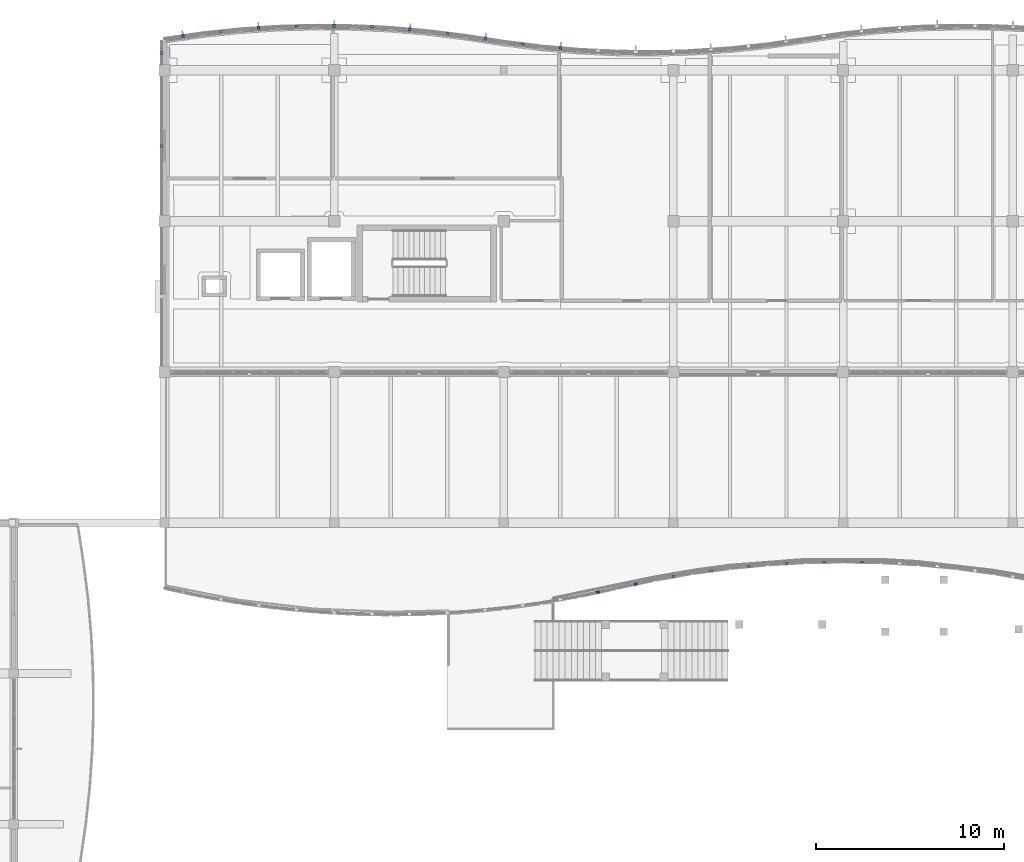
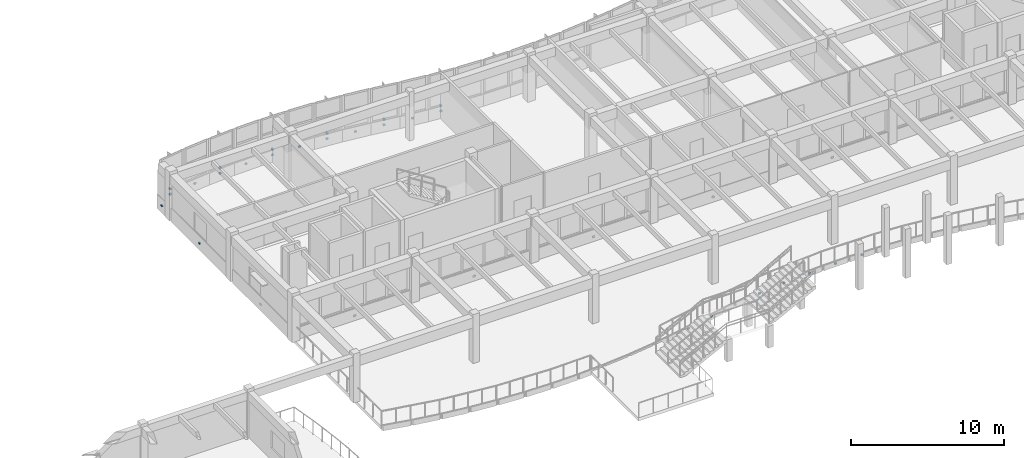
# One storey, part 70 of 89: 27 discrete accessories.
"""IFC4 building model written with IfcOpenShell, lengths in metres."""

from ifc_helpers import new_model, si_unit, direction, frame, origin, origin_2d, place, context, subcontext, project, spatial, rectangle, extrude, material, type_object, element, save


model = new_model("IFC4")

# Units and contexts
model_context = context("Model", 3, precision=1e-05, world=origin(), true_north=direction((0.0, 1.0)))
body_context = subcontext(model_context, "Body", "Model", "MODEL_VIEW")
ifc_project = project(units=[si_unit("LENGTHUNIT", "METRE"), si_unit("AREAUNIT", "SQUARE_METRE"), si_unit("VOLUMEUNIT", "CUBIC_METRE"), si_unit("PLANEANGLEUNIT", "RADIAN"), si_unit("MASSUNIT", "GRAM", prefix="KILO")], contexts=[model_context])

# Site, building, storey
site_placement = place(None, origin())
site = spatial("IfcSite", under=ifc_project, at=site_placement, CompositionType="ELEMENT")
building_placement = place(site_placement, origin())
building = spatial("IfcBuilding", under=site, at=building_placement, Name="Tonlespit Floodbar School", CompositionType="ELEMENT")
storey_placement = place(building_placement, frame((0.0, 0.0, 4.5)))
storey = spatial("IfcBuildingStorey", under=building, at=storey_placement, Name="L01", CompositionType="ELEMENT", Elevation=4.5)

# Discrete accessories
ifc_material = material(Name="Galvanised Steel", Category="steel")
discrete_accessory_type = type_object("IfcDiscreteAccessoryType", Name="Bracket_Facade_S355", PredefinedType="BRACKET", material=ifc_material)
discrete_accessory_1_placement = place(storey_placement, frame((44.981201171875, 121.824462890625, 0.35498046875), z_axis=(0.0, 0.0, 1.0), x_axis=(0.989537627347, 0.144275029245, 0.0)))
element("IfcDiscreteAccessory", 1, at=discrete_accessory_1_placement, inside=storey, type_object=discrete_accessory_type, Name="L01 white band support bracket 0048", PredefinedType="BRACKET", context=body_context, shape_type="SweptSolid", body=[
    extrude(rectangle(XDim=0.159912109375, YDim=0.1201171875, at=origin_2d()), origin(), (0.0, 0.0, 1.0), 0.1201171875),
])
discrete_accessory_2_placement = place(storey_placement, frame((44.979736328125, 121.834228515625, 0.7802734375), z_axis=(0.0, 0.0, 1.0), x_axis=(0.989537627347, 0.144275029245, 0.0)))
element("IfcDiscreteAccessory", 2, at=discrete_accessory_2_placement, inside=storey, type_object=discrete_accessory_type, Name="Solar fin support bracket 018", PredefinedType="BRACKET", context=body_context, shape_type="SweptSolid", body=[
    extrude(rectangle(XDim=0.1201171875, YDim=0.179931640625, at=origin_2d()), origin(), (0.0, 0.0, 1.0), 0.139892578125),
])
for number, where, z_axis, x_axis, name in (
    (3, (46.986328125, 122.0771484375, 0.35498046875), (0.0, 0.0, 1.0), (0.99439234017, 0.105753835922, 0.0), "L01 white band support bracket 0049"),
    (4, (48.9912109375, 122.25146484375, 0.35498046875), (0.0, 0.0, 1.0), (0.997729639049, 0.067346621018, 0.0), "L01 white band support bracket 0050"),
):
    element("IfcDiscreteAccessory", number, at=place(storey_placement, frame(where, z_axis=z_axis, x_axis=x_axis)), inside=storey, type_object=discrete_accessory_type, Name=name, PredefinedType="BRACKET", context=body_context, shape_type="SweptSolid", body=[
        extrude(rectangle(XDim=0.159912109375, YDim=0.1201171875, at=origin_2d()), origin(), (0.0, 0.0, 1.0), 0.1201171875),
    ])
discrete_accessory_3_placement = place(storey_placement, frame((48.990478515625, 122.261474609375, 0.7802734375), z_axis=(0.0, 0.0, 1.0), x_axis=(0.997729639049, 0.067346621018, 0.0)))
element("IfcDiscreteAccessory", 5, at=discrete_accessory_3_placement, inside=storey, type_object=discrete_accessory_type, Name="Solar fin support bracket 019", PredefinedType="BRACKET", context=body_context, shape_type="SweptSolid", body=[
    extrude(rectangle(XDim=0.1201171875, YDim=0.179931640625, at=origin_2d()), origin(), (0.0, 0.0, 1.0), 0.139892578125),
])
for number, where, z_axis, x_axis, name in (
    (6, (50.996337890625, 122.34814453125, 0.35498046875), (0.0, 0.0, 1.0), (0.999584110869, 0.02883756748, 0.0), "L01 white band support bracket 0051"),
    (7, (53.001220703125, 122.367431640625, 0.35498046875), (0.0, 0.0, 1.0), (0.999953926969, -0.009599163462, 0.0), "L01 white band support bracket 0052"),
):
    element("IfcDiscreteAccessory", number, at=place(storey_placement, frame(where, z_axis=z_axis, x_axis=x_axis)), inside=storey, type_object=discrete_accessory_type, Name=name, PredefinedType="BRACKET", context=body_context, shape_type="SweptSolid", body=[
        extrude(rectangle(XDim=0.159912109375, YDim=0.1201171875, at=origin_2d()), origin(), (0.0, 0.0, 1.0), 0.1201171875),
    ])
discrete_accessory_4_placement = place(storey_placement, frame((53.001220703125, 122.37744140625, 0.7802734375), z_axis=(0.0, 0.0, 1.0), x_axis=(0.999953926969, -0.009599163462, 0.0)))
element("IfcDiscreteAccessory", 8, at=discrete_accessory_4_placement, inside=storey, type_object=discrete_accessory_type, Name="Solar fin support bracket 020", PredefinedType="BRACKET", context=body_context, shape_type="SweptSolid", body=[
    extrude(rectangle(XDim=0.1201171875, YDim=0.179931640625, at=origin_2d()), origin(), (0.0, 0.0, 1.0), 0.139892578125),
])
for number, where, z_axis, x_axis, name in (
    (9, (55.00634765625, 122.3095703125, 0.35498046875), (0.0, 0.0, 1.0), (0.998842769234, -0.048094930587, 0.0), "L01 white band support bracket 0053"),
    (10, (57.01123046875, 122.174072265625, 0.35498046875), (0.0, 0.0, 1.0), (0.996245486492, -0.086573267488, 0.0), "L01 white band support bracket 0054"),
):
    element("IfcDiscreteAccessory", number, at=place(storey_placement, frame(where, z_axis=z_axis, x_axis=x_axis)), inside=storey, type_object=discrete_accessory_type, Name=name, PredefinedType="BRACKET", context=body_context, shape_type="SweptSolid", body=[
        extrude(rectangle(XDim=0.159912109375, YDim=0.1201171875, at=origin_2d()), origin(), (0.0, 0.0, 1.0), 0.1201171875),
    ])
discrete_accessory_5_placement = place(storey_placement, frame((57.01220703125, 122.18408203125, 0.7802734375), z_axis=(0.0, 0.0, 1.0), x_axis=(0.996245486492, -0.086573267488, 0.0)))
element("IfcDiscreteAccessory", 11, at=discrete_accessory_5_placement, inside=storey, type_object=discrete_accessory_type, Name="Solar fin support bracket 021", PredefinedType="BRACKET", context=body_context, shape_type="SweptSolid", body=[
    extrude(rectangle(XDim=0.1201171875, YDim=0.179931640625, at=origin_2d()), origin(), (0.0, 0.0, 1.0), 0.139892578125),
])
for number, where, z_axis, x_axis, name in (
    (12, (59.016357421875, 121.960693359375, 0.35498046875), (0.0, 0.0, 1.0), (0.99215533612, -0.125011155539, 0.0), "L01 white band support bracket 0055"),
    (13, (61.02001953125, 121.678466796875, 0.35498046875), (0.0, 0.0, 1.0), (0.988094768361, -0.153846445322, 0.0), "L01 white band support bracket 0056"),
):
    element("IfcDiscreteAccessory", number, at=place(storey_placement, frame(where, z_axis=z_axis, x_axis=x_axis)), inside=storey, type_object=discrete_accessory_type, Name=name, PredefinedType="BRACKET", context=body_context, shape_type="SweptSolid", body=[
        extrude(rectangle(XDim=0.159912109375, YDim=0.1201171875, at=origin_2d()), origin(), (0.0, 0.0, 1.0), 0.1201171875),
    ])
discrete_accessory_6_placement = place(storey_placement, frame((61.021484375, 121.688232421875, 0.7802734375), z_axis=(0.0, 0.0, 1.0), x_axis=(0.988094768361, -0.153846445322, 0.0)))
element("IfcDiscreteAccessory", 14, at=discrete_accessory_6_placement, inside=storey, type_object=discrete_accessory_type, Name="Solar fin support bracket 022", PredefinedType="BRACKET", context=body_context, shape_type="SweptSolid", body=[
    extrude(rectangle(XDim=0.1201171875, YDim=0.179931640625, at=origin_2d()), origin(), (0.0, 0.0, 1.0), 0.139892578125),
])
for number, where, z_axis, x_axis, name in (
    (15, (63.016357421875, 121.397216796875, 0.35498046875), (0.0, 0.0, 1.0), (0.99215533612, -0.125011155539, 0.0), "L01 white band support bracket 0057"),
    (16, (65.01123046875, 121.184814453125, 0.35498046875), (0.0, 0.0, 1.0), (0.996245486492, -0.086573267488, 0.0), "L01 white band support bracket 0058"),
):
    element("IfcDiscreteAccessory", number, at=place(storey_placement, frame(where, z_axis=z_axis, x_axis=x_axis)), inside=storey, type_object=discrete_accessory_type, Name=name, PredefinedType="BRACKET", context=body_context, shape_type="SweptSolid", body=[
        extrude(rectangle(XDim=0.159912109375, YDim=0.1201171875, at=origin_2d()), origin(), (0.0, 0.0, 1.0), 0.1201171875),
    ])
discrete_accessory_7_placement = place(storey_placement, frame((65.01220703125, 121.19482421875, 0.7802734375), z_axis=(0.0, 0.0, 1.0), x_axis=(0.996245486492, -0.086573267488, 0.0)))
element("IfcDiscreteAccessory", 17, at=discrete_accessory_7_placement, inside=storey, type_object=discrete_accessory_type, Name="Solar fin support bracket 023", PredefinedType="BRACKET", context=body_context, shape_type="SweptSolid", body=[
    extrude(rectangle(XDim=0.1201171875, YDim=0.179931640625, at=origin_2d()), origin(), (0.0, 0.0, 1.0), 0.139892578125),
])
for number, where, z_axis, x_axis, name in (
    (18, (43.85009765625, 116.0, 0.3798828125), (0.0, 0.0, 1.0), (0.0, 1.0, 0.0), "L01 white band support bracket 0093"),
    (19, (43.85009765625, 120.925048828125, 0.3798828125), (0.0, 0.0, 1.0), (0.0, 1.0, 0.0), "L01 white band support bracket 0094"),
    (20, (67.0, 92.3134765625, -0.150146484375), (0.0, 0.0, 1.0), (0.977356843161, 0.21159773422, 0.0), "L01 white band support bracket 0106"),
    (21, (69.0, 92.74658203125, -0.150146484375), (0.0, 0.0, 1.0), (0.977356843161, 0.21159773422, 0.0), "L01 white band support bracket 0107"),
    (22, (71.0, 93.138916015625, -0.150146484375), (0.0, 0.0, 1.0), (0.984904884962, 0.17309641122, 0.0), "L01 white band support bracket 0108"),
    (23, (73.0, 93.450439453125, -0.150146484375), (0.0, 0.0, 1.0), (0.990898113281, 0.13461400037, 0.0), "L01 white band support bracket 0109"),
    (24, (75.0, 93.682861328125, -0.150146484375), (0.0, 0.0, 1.0), (0.995361841764, 0.096201891669, 0.0), "L01 white band support bracket 0110"),
    (25, (77.0, 93.83740234375, -0.150146484375), (0.0, 0.0, 1.0), (0.998333769428, 0.057703421212, 0.0), "L01 white band support bracket 0111"),
    (26, (79.0, 93.914306640625, -0.150146484375), (0.0, 0.0, 1.0), (0.999814772764, 0.01924630259, 0.0), "L01 white band support bracket 0112"),
    (27, (81.0, 93.914306640625, -0.150146484375), (0.0, 0.0, 1.0), (0.999814772764, -0.01924630259, 0.0), "L01 white band support bracket 0113"),
):
    element("IfcDiscreteAccessory", number, at=place(storey_placement, frame(where, z_axis=z_axis, x_axis=x_axis)), inside=storey, type_object=discrete_accessory_type, Name=name, PredefinedType="BRACKET", context=body_context, shape_type="SweptSolid", body=[
        extrude(rectangle(XDim=0.159912109375, YDim=0.1201171875, at=origin_2d()), origin(), (0.0, 0.0, 1.0), 0.1201171875),
    ])

save(model, "model.ifc")
